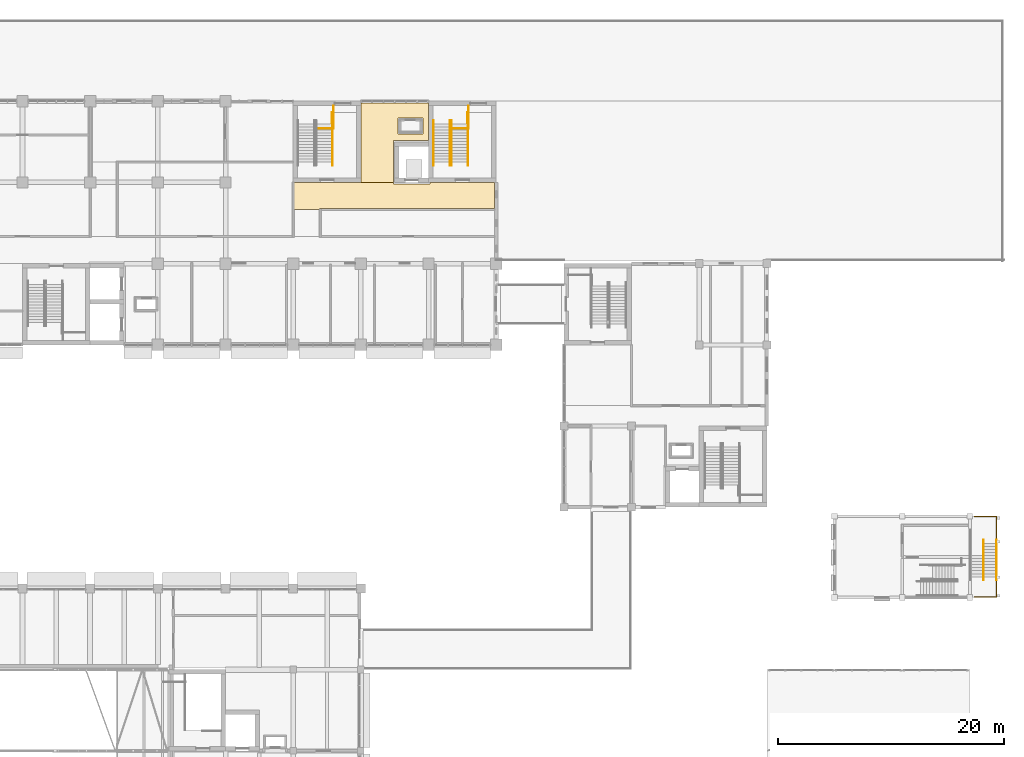
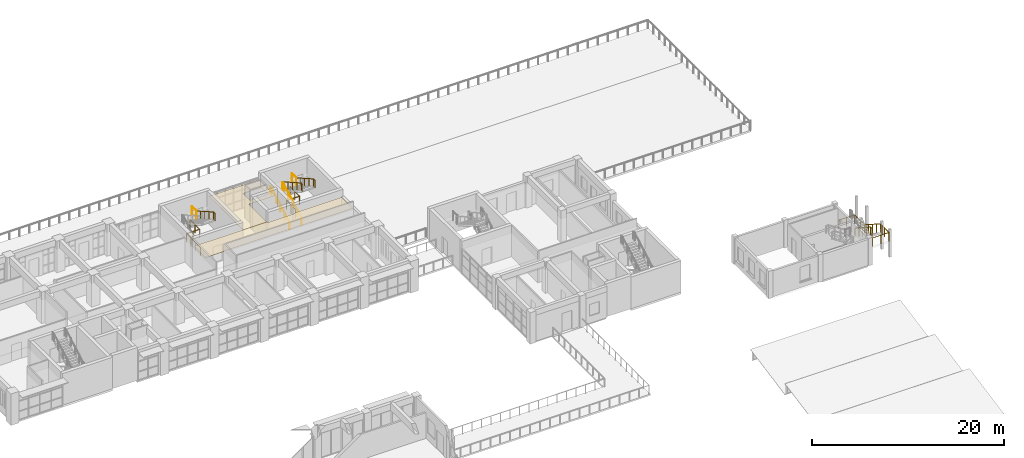
# One storey, part 100 of 101: 13 railings, 2 coverings.
"""IFC4 building model written with IfcOpenShell, lengths in metres."""

from ifc_helpers import new_model, si_unit, direction, frame, origin, origin_2d, place, context, subcontext, project, spatial, polyline, circle, outline, extrude, material, layer, layer_set, type_object, element, save


model = new_model("IFC4")

# Units and contexts
model_context = context("Model", 3, precision=1e-05, world=origin(), true_north=direction((0.0, 1.0)))
body_context = subcontext(model_context, "Body", "Model", "MODEL_VIEW")
ifc_project = project(units=[si_unit("LENGTHUNIT", "METRE"), si_unit("AREAUNIT", "SQUARE_METRE"), si_unit("VOLUMEUNIT", "CUBIC_METRE"), si_unit("PLANEANGLEUNIT", "RADIAN"), si_unit("MASSUNIT", "GRAM", prefix="KILO")], contexts=[model_context])

# Site, building, storey
site_placement = place(None, origin())
site = spatial("IfcSite", under=ifc_project, at=site_placement, CompositionType="ELEMENT")
building_placement = place(site_placement, origin())
building = spatial("IfcBuilding", under=site, at=building_placement, Name="Laocheng Heights Fire and Rescue Headquarters", CompositionType="ELEMENT")
storey_placement = place(building_placement, frame((0.0, 0.0, 8.39990234375)))
storey = spatial("IfcBuildingStorey", under=building, at=storey_placement, Name="L02", CompositionType="ELEMENT", Elevation=8.39990234375)

# Railings
ifc_material_1 = material(Name="Steel Q355B", Category="steel")
railing_type_1 = type_object("IfcRailingType", Name="STAIR GUARD 1100", PredefinedType="GUARDRAIL", material=ifc_material_1)
railing_1_placement = place(storey_placement, frame((81.554931640625, 71.580078125, 0.0)))
element("IfcRailing", 1, at=railing_1_placement, inside=storey, type_object=railing_type_1, Name="Stair H2 guard L02 under the half landing", PredefinedType="GUARDRAIL", context=body_context, shape_type="SweptSolid", body=[
    extrude(circle(Radius=0.02392578125, at=origin_2d()), frame((0.0, 0.0, 1.076171875), z_axis=(0.0, -1.0, 0.0), x_axis=(1.0, 0.0, 0.0)), (0.0, 0.0, 1.0), 2.000244140625),
    extrude(circle(Radius=0.02392578125, at=origin_2d()), frame((0.0, -2.000244140625, 1.076171875), z_axis=(-1.0, 0.0, 0.0), x_axis=(0.0, -1.0, 0.0)), (0.0, 0.0, 1.0), 1.579833984375),
    extrude(circle(Radius=0.02392578125, at=origin_2d()), frame((-1.579833984375, -2.000244140625, 1.076171875), z_axis=(0.0, -1.0, 0.0), x_axis=(1.0, 0.0, 0.0)), (0.0, 0.0, 1.0), 2.8798828125),
    extrude(circle(Radius=0.02099609375, at=origin_2d()), origin(), (0.0, 0.0, 1.0), 1.052001953125),
    extrude(circle(Radius=0.02099609375, at=origin_2d()), frame((0.0, -1.0, 0.0)), (0.0, 0.0, 1.0), 1.052001953125),
    extrude(circle(Radius=0.02099609375, at=origin_2d()), frame((0.0, -2.000244140625, 0.0)), (0.0, 0.0, 1.0), 1.052001953125),
    extrude(circle(Radius=0.02099609375, at=origin_2d()), frame((-0.7900390625, -2.000244140625, 0.0)), (0.0, 0.0, 1.0), 1.052001953125),
    extrude(circle(Radius=0.02099609375, at=origin_2d()), frame((-1.579833984375, -2.000244140625, 0.0)), (0.0, 0.0, 1.0), 1.052001953125),
    extrude(circle(Radius=0.02099609375, at=origin_2d()), frame((-1.579833984375, -2.960205078125, 0.0)), (0.0, 0.0, 1.0), 1.052001953125),
    extrude(circle(Radius=0.02099609375, at=origin_2d()), frame((-1.579833984375, -3.920166015625, 0.0)), (0.0, 0.0, 1.0), 1.052001953125),
    extrude(circle(Radius=0.02099609375, at=origin_2d()), frame((-1.579833984375, -4.880126953125, 0.0)), (0.0, 0.0, 1.0), 1.052001953125),
])
railing_2_placement = place(storey_placement, frame((81.445068359375, 70.97998046875, 2.10009765625)))
element("IfcRailing", 2, at=railing_2_placement, inside=storey, type_object=railing_type_1, Name="Stair H2 guard L02 half landing", PredefinedType="GUARDRAIL", context=body_context, shape_type="SweptSolid", body=[
    extrude(circle(Radius=0.02392578125, at=origin_2d()), frame((0.0, 0.0, 1.076171875), z_axis=(0.0, -1.0, 0.0), x_axis=(1.0, 0.0, 0.0)), (0.0, 0.0, 1.0), 0.89990234375),
    extrude(circle(Radius=0.02099609375, at=origin_2d()), origin(), (0.0, 0.0, 1.0), 1.052001953125),
    extrude(circle(Radius=0.02099609375, at=origin_2d()), frame((0.0, -0.89990234375, 0.0)), (0.0, 0.0, 1.0), 1.052001953125),
])
railing_3_placement = place(storey_placement, frame((69.554931640625, 71.580078125, 0.0)))
element("IfcRailing", 3, at=railing_3_placement, inside=storey, type_object=railing_type_1, Name="Stair H3 guard L02 under the half landing", PredefinedType="GUARDRAIL", context=body_context, shape_type="SweptSolid", body=[
    extrude(circle(Radius=0.02392578125, at=origin_2d()), frame((0.0, 0.0, 1.076171875), z_axis=(0.0, -1.0, 0.0), x_axis=(1.0, 0.0, 0.0)), (0.0, 0.0, 1.0), 2.000244140625),
    extrude(circle(Radius=0.02392578125, at=origin_2d()), frame((0.0, -2.000244140625, 1.076171875), z_axis=(-1.0, 0.0, 0.0), x_axis=(0.0, -1.0, 0.0)), (0.0, 0.0, 1.0), 1.579833984375),
    extrude(circle(Radius=0.02392578125, at=origin_2d()), frame((-1.579833984375, -2.000244140625, 1.076171875), z_axis=(0.0, -1.0, 0.0), x_axis=(1.0, 0.0, 0.0)), (0.0, 0.0, 1.0), 2.8798828125),
    extrude(circle(Radius=0.02099609375, at=origin_2d()), origin(), (0.0, 0.0, 1.0), 1.052001953125),
    extrude(circle(Radius=0.02099609375, at=origin_2d()), frame((0.0, -1.0, 0.0)), (0.0, 0.0, 1.0), 1.052001953125),
    extrude(circle(Radius=0.02099609375, at=origin_2d()), frame((0.0, -2.000244140625, 0.0)), (0.0, 0.0, 1.0), 1.052001953125),
    extrude(circle(Radius=0.02099609375, at=origin_2d()), frame((-0.7900390625, -2.000244140625, 0.0)), (0.0, 0.0, 1.0), 1.052001953125),
    extrude(circle(Radius=0.02099609375, at=origin_2d()), frame((-1.579833984375, -2.000244140625, 0.0)), (0.0, 0.0, 1.0), 1.052001953125),
    extrude(circle(Radius=0.02099609375, at=origin_2d()), frame((-1.579833984375, -2.960205078125, 0.0)), (0.0, 0.0, 1.0), 1.052001953125),
    extrude(circle(Radius=0.02099609375, at=origin_2d()), frame((-1.579833984375, -3.920166015625, 0.0)), (0.0, 0.0, 1.0), 1.052001953125),
    extrude(circle(Radius=0.02099609375, at=origin_2d()), frame((-1.579833984375, -4.880126953125, 0.0)), (0.0, 0.0, 1.0), 1.052001953125),
])
railing_4_placement = place(storey_placement, frame((69.445068359375, 70.97998046875, 2.10009765625)))
element("IfcRailing", 4, at=railing_4_placement, inside=storey, type_object=railing_type_1, Name="Stair H3 guard L02 half landing", PredefinedType="GUARDRAIL", context=body_context, shape_type="SweptSolid", body=[
    extrude(circle(Radius=0.02392578125, at=origin_2d()), frame((0.0, 0.0, 1.076171875), z_axis=(0.0, -1.0, 0.0), x_axis=(1.0, 0.0, 0.0)), (0.0, 0.0, 1.0), 0.89990234375),
    extrude(circle(Radius=0.02099609375, at=origin_2d()), origin(), (0.0, 0.0, 1.0), 1.052001953125),
    extrude(circle(Radius=0.02099609375, at=origin_2d()), frame((0.0, -0.89990234375, 0.0)), (0.0, 0.0, 1.0), 1.052001953125),
])
railing_5_placement = place(storey_placement, frame((128.3701171875, 32.800048828125, 2.10009765625)))
element("IfcRailing", 5, at=railing_5_placement, inside=storey, type_object=railing_type_1, Name="Stair T2 guard F4 landing edge", PredefinedType="GUARDRAIL", context=body_context, shape_type="SweptSolid", body=[
    extrude(circle(Radius=0.02392578125, at=origin_2d()), frame((0.0, 0.0, 1.076171875), z_axis=(0.0, 1.0, 0.0), x_axis=(-1.0, 0.0, 0.0)), (0.0, 0.0, 1.0), 2.369873046875),
    extrude(circle(Radius=0.02392578125, at=origin_2d()), frame((0.0, 2.369873046875, 1.076171875), z_axis=(-1.0, 0.0, 0.0), x_axis=(0.0, -1.0, 0.0)), (0.0, 0.0, 1.0), 1.97021484375),
    extrude(circle(Radius=0.02099609375, at=origin_2d()), origin(), (0.0, 0.0, 1.0), 1.052001953125),
    extrude(circle(Radius=0.02099609375, at=origin_2d()), frame((0.0, 1.18505859375, 0.0)), (0.0, 0.0, 1.0), 1.052001953125),
    extrude(circle(Radius=0.02099609375, at=origin_2d()), frame((0.0, 2.369873046875, 0.0)), (0.0, 0.0, 1.0), 1.052001953125),
    extrude(circle(Radius=0.02099609375, at=origin_2d()), frame((-0.985107421875, 2.369873046875, 0.0)), (0.0, 0.0, 1.0), 1.052001953125),
    extrude(circle(Radius=0.02099609375, at=origin_2d()), frame((-1.97021484375, 2.369873046875, 0.0)), (0.0, 0.0, 1.0), 1.052001953125),
])
for number, where, name in (
    (6, (128.3701171875, 33.10009765625, 2.10009765625), "Stair T2 guard F4 1"),
    (7, (127.199951171875, 33.10009765625, 2.10009765625), "Stair T2 guard F4 2"),
):
    element("IfcRailing", number, at=place(storey_placement, frame(where)), inside=storey, type_object=railing_type_1, Name=name, PredefinedType="GUARDRAIL", context=body_context, shape_type="SweptSolid", body=[
        extrude(circle(Radius=0.02392578125, at=origin_2d()), frame((0.0, 0.0, 1.076171875), z_axis=(0.0, -0.841419242076, 0.540382881913), x_axis=(1.0, 0.0, 0.0)), (0.0, 0.0, 1.0), 3.88623046875),
        extrude(circle(Radius=0.02392578125, at=origin_2d()), frame((0.0, -3.27001953125, 3.17626953125), z_axis=(0.0, -1.0, 0.0), x_axis=(1.0, 0.0, 0.0)), (0.0, 0.0, 1.0), 0.300048828125),
        extrude(circle(Radius=0.02099609375, at=origin_2d()), origin(), (0.0, 0.0, 1.0), 1.052001953125),
        extrude(circle(Radius=0.02099609375, at=origin_2d()), frame((0.0, -0.8173828125, 0.52490234375)), (0.0, 0.0, 1.0), 1.052001953125),
        extrude(circle(Radius=0.02099609375, at=origin_2d()), frame((0.0, -1.635009765625, 1.050048828125)), (0.0, 0.0, 1.0), 1.052001953125),
        extrude(circle(Radius=0.02099609375, at=origin_2d()), frame((0.0, -2.45263671875, 1.5751953125)), (0.0, 0.0, 1.0), 1.052001953125),
        extrude(circle(Radius=0.02099609375, at=origin_2d()), frame((0.0, -3.27001953125, 2.10009765625)), (0.0, 0.0, 1.0), 1.052001953125),
        extrude(circle(Radius=0.02099609375, at=origin_2d()), frame((0.0, -3.570068359375, 2.10009765625)), (0.0, 0.0, 1.0), 1.052001953125),
    ])
railing_6_placement = place(storey_placement, frame((128.3701171875, 29.830078125, 4.2001953125)))
element("IfcRailing", 8, at=railing_6_placement, inside=storey, type_object=railing_type_1, Name="Stair T2 guard F4 half landing", PredefinedType="GUARDRAIL", context=body_context, shape_type="SweptSolid", body=[
    extrude(circle(Radius=0.02392578125, at=origin_2d()), frame((0.0, 0.0, 1.076171875), z_axis=(0.0, -1.0, 0.0), x_axis=(1.0, 0.0, 0.0)), (0.0, 0.0, 1.0), 1.800048828125),
    extrude(circle(Radius=0.02392578125, at=origin_2d()), frame((0.0, -1.800048828125, 1.076171875), z_axis=(-1.0, 0.0, 0.0), x_axis=(0.0, -1.0, 0.0)), (0.0, 0.0, 1.0), 1.97021484375),
    extrude(circle(Radius=0.02099609375, at=origin_2d()), origin(), (0.0, 0.0, 1.0), 1.052001953125),
    extrude(circle(Radius=0.02099609375, at=origin_2d()), frame((0.0, -0.89990234375, 0.0)), (0.0, 0.0, 1.0), 1.052001953125),
    extrude(circle(Radius=0.02099609375, at=origin_2d()), frame((0.0, -1.800048828125, 0.0)), (0.0, 0.0, 1.0), 1.052001953125),
    extrude(circle(Radius=0.02099609375, at=origin_2d()), frame((-0.985107421875, -1.800048828125, 0.0)), (0.0, 0.0, 1.0), 1.052001953125),
    extrude(circle(Radius=0.02099609375, at=origin_2d()), frame((-1.97021484375, -1.800048828125, 0.0)), (0.0, 0.0, 1.0), 1.052001953125),
])
ifc_material_2 = material(Name="Steel Q355B", Category="steel")
railing_type_2 = type_object("IfcRailingType", Name="STAIR HANDRAIL 920", PredefinedType="HANDRAIL", material=ifc_material_2)
for number, where, name in (
    (9, (78.445068359375, 66.300048828125, 0.0), "Stair H2 handrail L02 1"),
    (10, (79.905029296875, 66.300048828125, 0.0), "Stair H2 handrail L02 2"),
):
    element("IfcRailing", number, at=place(storey_placement, frame(where)), inside=storey, type_object=railing_type_2, Name=name, PredefinedType="HANDRAIL", context=body_context, shape_type="SweptSolid", body=[
        extrude(circle(Radius=0.02392578125, at=origin_2d()), frame((0.0, 0.0, 0.89599609375), z_axis=(0.0, 0.868519587458, 0.495654845838), x_axis=(-1.0, 0.0, 0.0)), (0.0, 0.0, 1.0), 4.237060546875),
        extrude(circle(Radius=0.02392578125, at=origin_2d()), frame((0.0, 3.679931640625, 2.99609375), z_axis=(0.0, 1.0, 0.0), x_axis=(-1.0, 0.0, 0.0)), (0.0, 0.0, 1.0), 0.300048828125),
        extrude(circle(Radius=0.02099609375, at=origin_2d()), origin(), (0.0, 0.0, 1.0), 0.871826171875),
        extrude(circle(Radius=0.02099609375, at=origin_2d()), frame((0.0, 0.919921875, 0.52490234375)), (0.0, 0.0, 1.0), 0.871826171875),
        extrude(circle(Radius=0.02099609375, at=origin_2d()), frame((0.0, 1.83984375, 1.050048828125)), (0.0, 0.0, 1.0), 0.871826171875),
        extrude(circle(Radius=0.02099609375, at=origin_2d()), frame((0.0, 2.760009765625, 1.5751953125)), (0.0, 0.0, 1.0), 0.871826171875),
        extrude(circle(Radius=0.02099609375, at=origin_2d()), frame((0.0, 3.679931640625, 2.10009765625)), (0.0, 0.0, 1.0), 0.871826171875),
        extrude(circle(Radius=0.02099609375, at=origin_2d()), frame((0.0, 3.97998046875, 2.10009765625)), (0.0, 0.0, 1.0), 0.871826171875),
    ])
for number, where, name in (
    (11, (80.044921875, 70.280029296875, 2.10009765625), "Stair H2 handrail L02 3"),
    (12, (81.5048828125, 70.280029296875, 2.10009765625), "Stair H2 handrail L02 4"),
    (13, (69.5048828125, 70.280029296875, 2.10009765625), "Stair H3 handrail L02 4"),
):
    element("IfcRailing", number, at=place(storey_placement, frame(where)), inside=storey, type_object=railing_type_2, Name=name, PredefinedType="HANDRAIL", context=body_context, shape_type="SweptSolid", body=[
        extrude(circle(Radius=0.02392578125, at=origin_2d()), frame((0.0, 0.0, 0.89599609375), z_axis=(0.0, -0.868519587458, 0.495654845838), x_axis=(1.0, 0.0, 0.0)), (0.0, 0.0, 1.0), 4.237060546875),
        extrude(circle(Radius=0.02392578125, at=origin_2d()), frame((0.0, -3.679931640625, 2.99609375), z_axis=(0.0, -1.0, 0.0), x_axis=(1.0, 0.0, 0.0)), (0.0, 0.0, 1.0), 0.300048828125),
        extrude(circle(Radius=0.02099609375, at=origin_2d()), origin(), (0.0, 0.0, 1.0), 0.871826171875),
        extrude(circle(Radius=0.02099609375, at=origin_2d()), frame((0.0, -0.919921875, 0.52490234375)), (0.0, 0.0, 1.0), 0.871826171875),
        extrude(circle(Radius=0.02099609375, at=origin_2d()), frame((0.0, -1.83984375, 1.050048828125)), (0.0, 0.0, 1.0), 0.871826171875),
        extrude(circle(Radius=0.02099609375, at=origin_2d()), frame((0.0, -2.760009765625, 1.5751953125)), (0.0, 0.0, 1.0), 0.871826171875),
        extrude(circle(Radius=0.02099609375, at=origin_2d()), frame((0.0, -3.679931640625, 2.10009765625)), (0.0, 0.0, 1.0), 0.871826171875),
        extrude(circle(Radius=0.02099609375, at=origin_2d()), frame((0.0, -3.97998046875, 2.10009765625)), (0.0, 0.0, 1.0), 0.871826171875),
    ])

# Coverings
ifc_material_3 = material(Name="Mineral fibre ceiling tile")
ifc_layer = layer(ifc_material_3, 0.0400390625)
ifc_layer_set = layer_set([ifc_layer], Name="Mineral fibre ceiling tile")
covering_type = type_object("IfcCoveringType", Name="SUSPENDED CEILING MINERAL FIBRE TILE HQ WING", PredefinedType="CEILING", material=ifc_layer_set)
covering_1_placement = place(storey_placement, frame((0.0, 0.0, 3.0)))
element("IfcCovering", 14, at=covering_1_placement, inside=storey, type_object=covering_type, Name="East Lobby ceiling", PredefinedType="CEILING", context=body_context, shape_type="SweptSolid", body=[
    extrude(outline(polyline([(83.85009765625, 62.47509765625), (68.47509765625, 62.47509765625), (68.324951171875, 62.47509765625), (68.324951171875, 62.39990234375), (66.074951171875, 62.39990234375), (66.074951171875, 64.800048828125), (74.875, 64.800048828125), (74.875, 64.675048828125), (75.125, 64.675048828125), (77.875, 64.675048828125), (78.125, 64.675048828125), (78.125, 64.800048828125), (83.85009765625, 64.800048828125), (83.85009765625, 62.47509765625)])), origin(), (0.0, 0.0, 1.0), 0.0400390625),
])
covering_2_placement = place(storey_placement, frame((0.0, 0.0, 3.0)))
element("IfcCovering", 15, at=covering_2_placement, inside=storey, type_object=covering_type, Name="Riser Lobby ceiling", PredefinedType="CEILING", context=body_context, shape_type="SweptSolid", body=[
    extrude(outline(polyline([(72.0, 71.85009765625), (78.0, 71.85009765625), (78.0, 68.52490234375), (77.875, 68.52490234375), (75.125, 68.52490234375), (74.875, 68.52490234375), (74.875, 68.27490234375), (74.875, 64.925048828125), (74.875, 64.800048828125), (72.0, 64.800048828125), (72.0, 71.85009765625)]), holes=[polyline([(75.300048828125, 69.10009765625), (75.5, 69.10009765625), (77.300048828125, 69.10009765625), (77.5, 69.10009765625), (77.5, 69.300048828125), (77.5, 70.300048828125), (77.5, 70.5), (77.300048828125, 70.5), (75.5, 70.5), (75.300048828125, 70.5), (75.300048828125, 70.300048828125), (75.300048828125, 69.300048828125), (75.300048828125, 69.10009765625)])]), origin(), (0.0, 0.0, 1.0), 0.0400390625),
])

save(model, "model.ifc")
